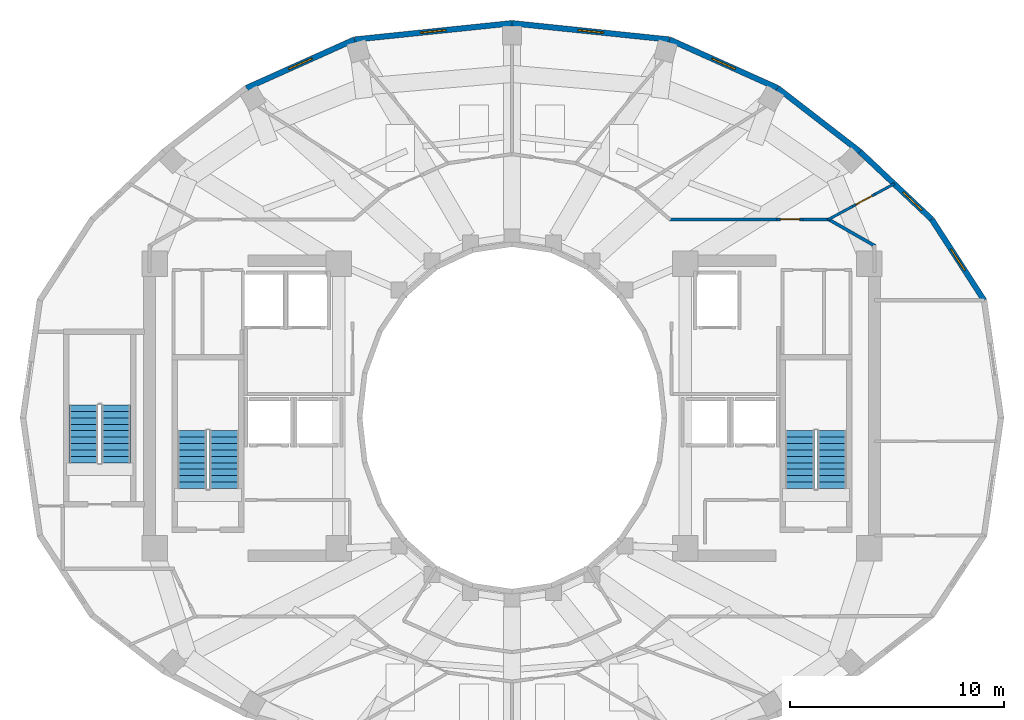
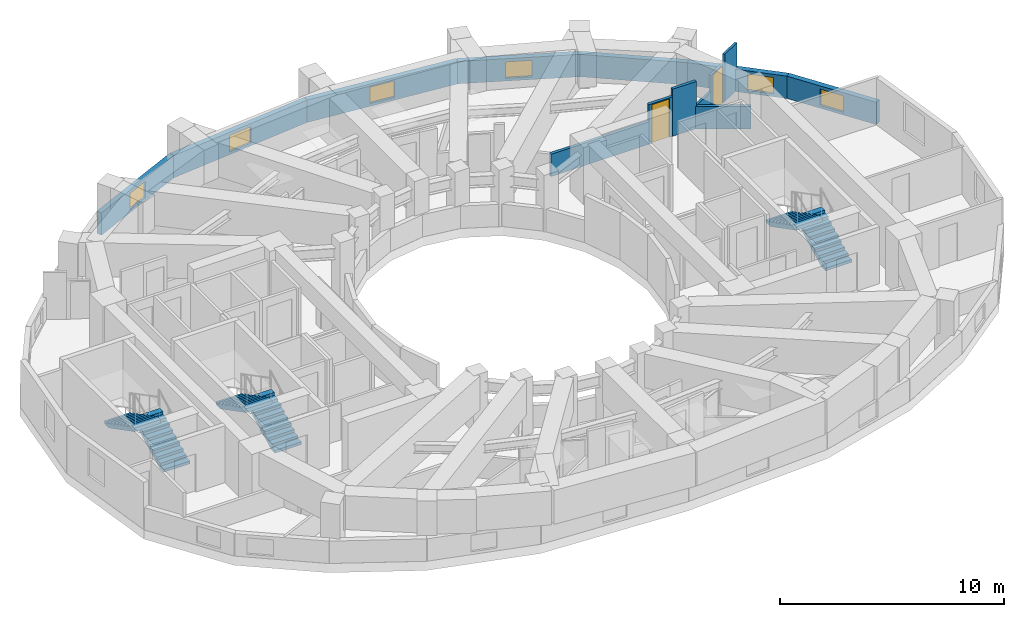
# One storey, part 7 of 9: 14 walls, 6 stair flights, 6 windows, 2 doors, 8 openings, 3 elements without a shape of their own.
"""IFC4 building model written with IfcOpenShell, lengths in metres."""

from ifc_helpers import new_model, si_unit, direction, frame, frame_2d, origin, place, context, subcontext, project, spatial, polyline, rectangle, outline, extrude, material, layer, layer_set, type_object, element, fill, aggregate, save


model = new_model("IFC4")

# Units and contexts
model_context = context("Model", 3, precision=1e-05, world=origin(), true_north=direction((0.0, 1.0)))
body_context = subcontext(model_context, "Body", "Model", "MODEL_VIEW")
ifc_project = project(units=[si_unit("LENGTHUNIT", "METRE"), si_unit("AREAUNIT", "SQUARE_METRE"), si_unit("VOLUMEUNIT", "CUBIC_METRE"), si_unit("PLANEANGLEUNIT", "RADIAN"), si_unit("MASSUNIT", "GRAM", prefix="KILO")], contexts=[model_context])

# Site, building, storey
site_placement = place(None, origin())
site = spatial("IfcSite", under=ifc_project, at=site_placement, CompositionType="ELEMENT")
building_placement = place(site_placement, origin())
building = spatial("IfcBuilding", under=site, at=building_placement, Name="Solvane Sanctuary Tower", CompositionType="ELEMENT")
storey_placement = place(building_placement, frame((0.0, 0.0, 190.10009765625)))
storey = spatial("IfcBuildingStorey", under=building, at=storey_placement, Name="L58", CompositionType="ELEMENT", Elevation=190.10009765625)

# Wall
ifc_material_1 = material(Name="Acoustic Gypsum Partition Board")
ifc_layer_1 = layer(ifc_material_1, 0.14990234375, Name="Acoustic Gypsum Partition Board")
ifc_layer_set_1 = layer_set([ifc_layer_1], Name="Acoustic Gypsum Partition Board")
wall_type_1 = type_object("IfcWallType", Name="Wall W-CORR-150", PredefinedType="PARTITIONING", material=ifc_layer_set_1)
wall_1_placement = place(storey_placement, frame((39.330078125, 32.280029296875, 0.0), z_axis=(0.0, 0.0, 1.0), x_axis=(1.0, 0.0, 0.0)))
element("IfcWall", 1, at=wall_1_placement, inside=storey, type_object=wall_type_1, Name="L58 NE Corner Corridor Wall", PredefinedType="PARTITIONING", context=body_context, shape_type="SweptSolid", body=[
    extrude(rectangle(XDim=5.059814453125, YDim=0.14990234375, at=frame_2d((2.52978515625, 0.0))), origin(), (0.0, 0.0, 1.0), 1.219970703125),
])

# Wall, opening, door
wall_2_placement = place(storey_placement, frame((44.389892578125, 32.280029296875, 0.0), z_axis=(0.0, 0.0, 1.0), x_axis=(1.0, 0.0, 0.0)))
wall_2 = element("IfcWall", 2, at=wall_2_placement, inside=storey, type_object=wall_type_1, Name="L58 NE Corner Corridor Wall", PredefinedType="PARTITIONING", context=body_context, shape_type="SweptSolid", body=[
    extrude(rectangle(XDim=1.22021484375, YDim=0.14990234375, at=frame_2d((0.610107421875, 0.0))), origin(), (0.0, 0.0, 1.0), 2.159912109375),
])
opening_1_placement = place(wall_2_placement, frame((0.159912109375, 0.0, 0.0)))
opening_1 = element("IfcOpeningElement", 3, at=opening_1_placement, cuts=wall_2, Name="Opening D-L58-15", PredefinedType="OPENING", context=body_context, shape_type="SweptSolid", body=[
    extrude(rectangle(XDim=0.89990234375, YDim=2.10009765625, at=frame_2d((0.449951171875, 1.050048828125))), frame((0.0, 0.0849609375, 0.0), z_axis=(0.0, -1.0, 0.0), x_axis=(1.0, 0.0, 0.0)), (0.0, 0.0, 1.0), 0.169921875),
])
ifc_material_2 = material(Name="Engineered Tropical Hardwood", Category="wood")
door_type_1 = type_object("IfcDoorType", Name="Door D-WET-900", OperationType="NOTDEFINED", PredefinedType="DOOR", material=ifc_material_2)
door_1_placement = place(opening_1_placement, origin())
door_1 = element("IfcDoor", 4, at=door_1_placement, inside=storey, type_object=door_type_1, Name="L58 NE Corner Salon Door", OperationType="SINGLE_SWING_RIGHT", OverallHeight=2.10009765625, OverallWidth=0.89990234375, PredefinedType="DOOR", context=body_context, shape_type="SweptSolid", body=[
    extrude(rectangle(XDim=0.89990234375, YDim=2.10009765625, at=frame_2d((0.449951171875, 1.050048828125))), frame((0.0, 0.02490234375, 0.0), z_axis=(0.0, -1.0, 0.0), x_axis=(1.0, 0.0, 0.0)), (0.0, 0.0, 1.0), 0.050048828125),
])
fill(opening_1, door_1)

# Walls
wall_3_placement = place(storey_placement, frame((45.610107421875, 32.280029296875, 0.0), z_axis=(0.0, 0.0, 1.0), x_axis=(1.0, 0.0, 0.0)))
element("IfcWall", 5, at=wall_3_placement, inside=storey, type_object=wall_type_1, Name="L58 NE Corner Corridor Wall", PredefinedType="PARTITIONING", context=body_context, shape_type="SweptSolid", body=[
    extrude(rectangle(XDim=1.239990234375, YDim=0.14990234375, at=frame_2d((0.6201171875, 0.0))), origin(), (0.0, 0.0, 1.0), 2.574951171875),
])
wall_4_placement = place(storey_placement, frame((46.756591796875, 32.3046875, 0.0), z_axis=(0.0, 0.0, 1.0), x_axis=(0.867991349648, -0.496579315857, 0.0)))
element("IfcWall", 6, at=wall_4_placement, inside=storey, type_object=wall_type_1, Name="L58 NE Corner Wing Wall", PredefinedType="PARTITIONING", context=body_context, shape_type="SweptSolid", body=[
    extrude(rectangle(XDim=2.56689453125, YDim=0.14990234375, at=frame_2d((1.283447265625, 0.0))), origin(), (0.0, 0.0, 1.0), 1.219970703125),
])

# Wall, opening, window
ifc_material_3 = material(Name="Precast concrete C40/50", Category="concrete")
ifc_layer_2 = layer(ifc_material_3, 0.260009765625, Name="Precast concrete C40/50")
ifc_layer_set_2 = layer_set([ifc_layer_2], Name="Precast concrete C40/50")
wall_type_2 = type_object("IfcWallType", Name="Wall W-EXT-250", PredefinedType="STANDARD", material=ifc_layer_set_2)
wall_5_placement = place(storey_placement, frame((54.0703125, 28.49658203125, 0.0), z_axis=(0.0, 0.0, 1.0), x_axis=(-0.543358984534, 0.839500454989, 0.0)))
wall_5 = element("IfcWall", 7, at=wall_5_placement, inside=storey, type_object=wall_type_2, Name="L58 Ceramic-Printed Facade Wall 01", PredefinedType="STANDARD", context=body_context, shape_type="SweptSolid", body=[
    extrude(rectangle(XDim=4.51123046875, YDim=0.260009765625, at=frame_2d((2.255615234375, 0.0))), origin(), (0.0, 0.0, 1.0), 1.219970703125),
])
opening_2_placement = place(wall_5_placement, frame((1.655517578125, 0.0, 0.14990234375)))
opening_2 = element("IfcOpeningElement", 8, at=opening_2_placement, cuts=wall_5, Name="Opening WN-OPER-1200", PredefinedType="OPENING", context=body_context, shape_type="SweptSolid", body=[
    extrude(rectangle(XDim=1.199951171875, YDim=0.89990234375, at=frame_2d((0.60009765625, 0.449951171875))), frame((0.0, 0.139892578125, 0.0), z_axis=(0.0, -1.0, 0.0), x_axis=(1.0, 0.0, 0.0)), (0.0, 0.0, 1.0), 0.280029296875),
])
ifc_material_4 = material(Name="Dark Ceramic-Fritted Low-E Glass", Category="glass")
window_type = type_object("IfcWindowType", Name="Window WN-OPER-1200", PartitioningType="SINGLE_PANEL", PredefinedType="WINDOW", material=ifc_material_4)
window_1_placement = place(opening_2_placement, origin())
window_1 = element("IfcWindow", 9, at=window_1_placement, inside=storey, type_object=window_type, Name="L58 Operable Facade Window 01", OverallHeight=0.89990234375, OverallWidth=1.199951171875, PartitioningType="SINGLE_PANEL", PredefinedType="WINDOW", context=body_context, shape_type="SweptSolid", body=[
    extrude(rectangle(XDim=1.199951171875, YDim=0.89990234375, at=frame_2d((0.60009765625, 0.449951171875))), frame((0.0, 0.030029296875, 0.0), z_axis=(0.0, -1.0, 0.0), x_axis=(1.0, 0.0, 0.0)), (0.0, 0.0, 1.0), 0.06005859375),
])
fill(opening_2, window_1)

wall_6_placement = place(storey_placement, frame((51.619140625, 32.28369140625, 0.0), z_axis=(0.0, 0.0, 1.0), x_axis=(-0.727667301037, 0.68593024354, 0.0)))
wall_6 = element("IfcWall", 10, at=wall_6_placement, inside=storey, type_object=wall_type_2, Name="L58 Ceramic-Printed Facade Wall 02", PredefinedType="STANDARD", context=body_context, shape_type="SweptSolid", body=[
    extrude(rectangle(XDim=4.603515625, YDim=0.260009765625, at=frame_2d((2.3017578125, 0.0))), origin(), (0.0, 0.0, 1.0), 1.219970703125),
])
opening_3_placement = place(wall_6_placement, frame((0.631103515625, 0.0, 0.14990234375)))
opening_3 = element("IfcOpeningElement", 11, at=opening_3_placement, cuts=wall_6, Name="Opening WN-OPER-1200", PredefinedType="OPENING", context=body_context, shape_type="SweptSolid", body=[
    extrude(rectangle(XDim=1.199951171875, YDim=0.89990234375, at=frame_2d((0.60009765625, 0.449951171875))), frame((0.0, 0.139892578125, 0.0), z_axis=(0.0, -1.0, 0.0), x_axis=(1.0, 0.0, 0.0)), (0.0, 0.0, 1.0), 0.280029296875),
])
window_2_placement = place(opening_3_placement, origin())
window_2 = element("IfcWindow", 12, at=window_2_placement, inside=storey, type_object=window_type, Name="L58 Operable Facade Window 02", OverallHeight=0.89990234375, OverallWidth=1.199951171875, PartitioningType="SINGLE_PANEL", PredefinedType="WINDOW", context=body_context, shape_type="SweptSolid", body=[
    extrude(rectangle(XDim=1.199951171875, YDim=0.89990234375, at=frame_2d((0.60009765625, 0.449951171875))), frame((0.0, 0.030029296875, 0.0), z_axis=(0.0, -1.0, 0.0), x_axis=(1.0, 0.0, 0.0)), (0.0, 0.0, 1.0), 0.06005859375),
])
fill(opening_3, window_2)

# Wall
wall_7_placement = place(storey_placement, frame((48.269287109375, 35.44140625, 0.0), z_axis=(0.0, 0.0, 1.0), x_axis=(-0.791460185804, 0.611220724687, 0.0)))
element("IfcWall", 13, at=wall_7_placement, inside=storey, type_object=wall_type_2, Name="L58 Ceramic-Printed Facade Wall 03", PredefinedType="STANDARD", context=body_context, shape_type="SweptSolid", body=[
    extrude(rectangle(XDim=4.872314453125, YDim=0.260009765625, at=frame_2d((2.43603515625, 0.0))), origin(), (0.0, 0.0, 1.0), 1.219970703125),
])

# Wall, opening, window
wall_8_placement = place(storey_placement, frame((44.4130859375, 38.41943359375, 0.0), z_axis=(0.0, 0.0, 1.0), x_axis=(-0.912353637112, 0.409403029847, 0.0)))
wall_8 = element("IfcWall", 14, at=wall_8_placement, inside=storey, type_object=wall_type_2, Name="L58 Ceramic-Printed Facade Wall 04", PredefinedType="STANDARD", context=body_context, shape_type="SweptSolid", body=[
    extrude(rectangle(XDim=5.53271484375, YDim=0.260009765625, at=frame_2d((2.766357421875, 0.0))), origin(), (0.0, 0.0, 1.0), 1.219970703125),
])
opening_4_placement = place(wall_8_placement, frame((2.16650390625, 0.0, 0.14990234375)))
opening_4 = element("IfcOpeningElement", 15, at=opening_4_placement, cuts=wall_8, Name="Opening WN-OPER-1200", PredefinedType="OPENING", context=body_context, shape_type="SweptSolid", body=[
    extrude(rectangle(XDim=1.199951171875, YDim=0.89990234375, at=frame_2d((0.60009765625, 0.449951171875))), frame((0.0, 0.139892578125, 0.0), z_axis=(0.0, -1.0, 0.0), x_axis=(1.0, 0.0, 0.0)), (0.0, 0.0, 1.0), 0.280029296875),
])
window_3_placement = place(opening_4_placement, origin())
window_3 = element("IfcWindow", 16, at=window_3_placement, inside=storey, type_object=window_type, Name="L58 Operable Facade Window 04", OverallHeight=0.89990234375, OverallWidth=1.199951171875, PartitioningType="SINGLE_PANEL", PredefinedType="WINDOW", context=body_context, shape_type="SweptSolid", body=[
    extrude(rectangle(XDim=1.199951171875, YDim=0.89990234375, at=frame_2d((0.60009765625, 0.449951171875))), frame((0.0, 0.030029296875, 0.0), z_axis=(0.0, -1.0, 0.0), x_axis=(1.0, 0.0, 0.0)), (0.0, 0.0, 1.0), 0.06005859375),
])
fill(opening_4, window_3)

wall_9_placement = place(storey_placement, frame((39.365234375, 40.6845703125, 0.0), z_axis=(0.0, 0.0, 1.0), x_axis=(-0.994664178965, 0.10316574569, 0.0)))
wall_9 = element("IfcWall", 17, at=wall_9_placement, inside=storey, type_object=wall_type_2, Name="L58 Ceramic-Printed Facade Wall 05", PredefinedType="STANDARD", context=body_context, shape_type="SweptSolid", body=[
    extrude(rectangle(XDim=7.40478515625, YDim=0.260009765625, at=frame_2d((3.702392578125, 0.0))), origin(), (0.0, 0.0, 1.0), 1.219970703125),
])
opening_5_placement = place(wall_9_placement, frame((3.102294921875, 0.0, 0.14990234375)))
opening_5 = element("IfcOpeningElement", 18, at=opening_5_placement, cuts=wall_9, Name="Opening WN-OPER-1200", PredefinedType="OPENING", context=body_context, shape_type="SweptSolid", body=[
    extrude(rectangle(XDim=1.199951171875, YDim=0.89990234375, at=frame_2d((0.60009765625, 0.449951171875))), frame((0.0, 0.139892578125, 0.0), z_axis=(0.0, -1.0, 0.0), x_axis=(1.0, 0.0, 0.0)), (0.0, 0.0, 1.0), 0.280029296875),
])
window_4_placement = place(opening_5_placement, origin())
window_4 = element("IfcWindow", 19, at=window_4_placement, inside=storey, type_object=window_type, Name="L58 Operable Facade Window 05", OverallHeight=0.89990234375, OverallWidth=1.199951171875, PartitioningType="SINGLE_PANEL", PredefinedType="WINDOW", context=body_context, shape_type="SweptSolid", body=[
    extrude(rectangle(XDim=1.199951171875, YDim=0.89990234375, at=frame_2d((0.60009765625, 0.449951171875))), frame((0.0, 0.030029296875, 0.0), z_axis=(0.0, -1.0, 0.0), x_axis=(1.0, 0.0, 0.0)), (0.0, 0.0, 1.0), 0.06005859375),
])
fill(opening_5, window_4)

wall_10_placement = place(storey_placement, frame((32.0, 41.448486328125, 0.0), z_axis=(0.0, 0.0, 1.0), x_axis=(-0.994664178965, -0.10316574569, 0.0)))
wall_10 = element("IfcWall", 20, at=wall_10_placement, inside=storey, type_object=wall_type_2, Name="L58 Ceramic-Printed Facade Wall 06", PredefinedType="STANDARD", context=body_context, shape_type="SweptSolid", body=[
    extrude(rectangle(XDim=7.40478515625, YDim=0.260009765625, at=frame_2d((3.702392578125, 0.0))), origin(), (0.0, 0.0, 1.0), 1.219970703125),
])
opening_6_placement = place(wall_10_placement, frame((3.102294921875, 0.0, 0.14990234375)))
opening_6 = element("IfcOpeningElement", 21, at=opening_6_placement, cuts=wall_10, Name="Opening WN-OPER-1200", PredefinedType="OPENING", context=body_context, shape_type="SweptSolid", body=[
    extrude(rectangle(XDim=1.199951171875, YDim=0.89990234375, at=frame_2d((0.60009765625, 0.449951171875))), frame((0.0, 0.139892578125, 0.0), z_axis=(0.0, -1.0, 0.0), x_axis=(1.0, 0.0, 0.0)), (0.0, 0.0, 1.0), 0.280029296875),
])
window_5_placement = place(opening_6_placement, origin())
window_5 = element("IfcWindow", 22, at=window_5_placement, inside=storey, type_object=window_type, Name="L58 Operable Facade Window 06", OverallHeight=0.89990234375, OverallWidth=1.199951171875, PartitioningType="SINGLE_PANEL", PredefinedType="WINDOW", context=body_context, shape_type="SweptSolid", body=[
    extrude(rectangle(XDim=1.199951171875, YDim=0.89990234375, at=frame_2d((0.60009765625, 0.449951171875))), frame((0.0, 0.030029296875, 0.0), z_axis=(0.0, -1.0, 0.0), x_axis=(1.0, 0.0, 0.0)), (0.0, 0.0, 1.0), 0.06005859375),
])
fill(opening_6, window_5)

wall_11_placement = place(storey_placement, frame((24.634765625, 40.6845703125, 0.0), z_axis=(0.0, 0.0, 1.0), x_axis=(-0.912353637112, -0.409403029847, 0.0)))
wall_11 = element("IfcWall", 23, at=wall_11_placement, inside=storey, type_object=wall_type_2, Name="L58 Ceramic-Printed Facade Wall 07", PredefinedType="STANDARD", context=body_context, shape_type="SweptSolid", body=[
    extrude(rectangle(XDim=5.53271484375, YDim=0.260009765625, at=frame_2d((2.766357421875, 0.0))), origin(), (0.0, 0.0, 1.0), 1.219970703125),
])
opening_7_placement = place(wall_11_placement, frame((2.16650390625, 0.0, 0.14990234375)))
opening_7 = element("IfcOpeningElement", 24, at=opening_7_placement, cuts=wall_11, Name="Opening WN-OPER-1200", PredefinedType="OPENING", context=body_context, shape_type="SweptSolid", body=[
    extrude(rectangle(XDim=1.199951171875, YDim=0.89990234375, at=frame_2d((0.60009765625, 0.449951171875))), frame((0.0, 0.139892578125, 0.0), z_axis=(0.0, -1.0, 0.0), x_axis=(1.0, 0.0, 0.0)), (0.0, 0.0, 1.0), 0.280029296875),
])
window_6_placement = place(opening_7_placement, origin())
window_6 = element("IfcWindow", 25, at=window_6_placement, inside=storey, type_object=window_type, Name="L58 Operable Facade Window 07", OverallHeight=0.89990234375, OverallWidth=1.199951171875, PartitioningType="SINGLE_PANEL", PredefinedType="WINDOW", context=body_context, shape_type="SweptSolid", body=[
    extrude(rectangle(XDim=1.199951171875, YDim=0.89990234375, at=frame_2d((0.60009765625, 0.449951171875))), frame((0.0, 0.030029296875, 0.0), z_axis=(0.0, -1.0, 0.0), x_axis=(1.0, 0.0, 0.0)), (0.0, 0.0, 1.0), 0.06005859375),
])
fill(opening_7, window_6)

# Wall
ifc_layer_3 = layer(ifc_material_1, 0.1201171875, Name="Acoustic Gypsum Partition Board")
ifc_layer_set_3 = layer_set([ifc_layer_3], Name="Acoustic Gypsum Partition Board")
wall_type_3 = type_object("IfcWallType", Name="Wall W-MOV-100", PredefinedType="MOVABLE", material=ifc_layer_set_3)
wall_12_placement = place(storey_placement, frame((46.756103515625, 32.256103515625, 0.0), z_axis=(0.0, 0.0, 1.0), x_axis=(0.879396983738, 0.476089219572, 0.0)))
element("IfcWall", 26, at=wall_12_placement, inside=storey, type_object=wall_type_3, Name="L58 NE Corner Suite Partition", PredefinedType="MOVABLE", context=body_context, shape_type="SweptSolid", body=[
    extrude(rectangle(XDim=1.33837890625, YDim=0.1201171875, at=frame_2d((0.669189453125, 0.0))), origin(), (0.0, 0.0, 1.0), 1.219970703125),
])

# Wall, opening, door
wall_13_placement = place(storey_placement, frame((47.93310546875, 32.893310546875, 0.0), z_axis=(0.0, 0.0, 1.0), x_axis=(0.879342939039, 0.476189033433, 0.0)))
wall_13 = element("IfcWall", 27, at=wall_13_placement, inside=storey, type_object=wall_type_3, Name="L58 NE Corner Suite Partition", PredefinedType="MOVABLE", context=body_context, shape_type="SweptSolid", body=[
    extrude(rectangle(XDim=1.169921875, YDim=0.1201171875, at=frame_2d((0.5849609375, 0.0))), origin(), (0.0, 0.0, 1.0), 2.10986328125),
])
opening_8_placement = place(wall_13_placement, frame((0.159912109375, 0.0, 0.0)))
opening_8 = element("IfcOpeningElement", 28, at=opening_8_placement, cuts=wall_13, Name="Opening D-L58-14", PredefinedType="OPENING", context=body_context, shape_type="SweptSolid", body=[
    extrude(rectangle(XDim=0.85009765625, YDim=2.050048828125, at=frame_2d((0.425048828125, 1.02490234375))), frame((0.0, 0.070068359375, 0.0), z_axis=(0.0, -1.0, 0.0), x_axis=(1.0, 0.0, 0.0)), (0.0, 0.0, 1.0), 0.14013671875),
])
ifc_material_5 = material(Name="Architectural Stainless Steel 316", Category="steel")
door_type_2 = type_object("IfcDoorType", Name="Door D-RISER", OperationType="NOTDEFINED", PredefinedType="DOOR", material=ifc_material_5)
door_2_placement = place(opening_8_placement, origin())
door_2 = element("IfcDoor", 29, at=door_2_placement, inside=storey, type_object=door_type_2, Name="L58 NE Corner Suite Door", OperationType="SINGLE_SWING_LEFT", OverallHeight=2.050048828125, OverallWidth=0.85009765625, PredefinedType="DOOR", context=body_context, shape_type="SweptSolid", body=[
    extrude(rectangle(XDim=0.85009765625, YDim=2.050048828125, at=frame_2d((0.425048828125, 1.02490234375))), frame((0.0, 0.02490234375, 0.0), z_axis=(0.0, -1.0, 0.0), x_axis=(1.0, 0.0, 0.0)), (0.0, 0.0, 1.0), 0.050048828125),
])
fill(opening_8, door_2)

# Wall
wall_14_placement = place(storey_placement, frame((48.9619140625, 33.450439453125, 0.0), z_axis=(0.0, 0.0, 1.0), x_axis=(0.879417553007, 0.476051223571, 0.0)))
element("IfcWall", 30, at=wall_14_placement, inside=storey, type_object=wall_type_3, Name="L58 NE Corner Suite Partition", PredefinedType="MOVABLE", context=body_context, shape_type="SweptSolid", body=[
    extrude(rectangle(XDim=1.05126953125, YDim=0.1201171875, at=frame_2d((0.525634765625, 0.0))), origin(), (0.0, 0.0, 1.0), 2.574951171875),
])

# Stair, stair flights
ifc_material_6 = material(Name="Concrete C45/55", Category="concrete")
stair_type = type_object("IfcStairType", Name="Stair ST-TOW", PredefinedType="HALF_TURN_STAIR", material=ifc_material_6)
stair_1_placement = place(storey_placement, origin())
stair_1 = element("IfcStair", 31, at=stair_1_placement, inside=storey, type_object=stair_type, Name="L58 Exit Stair ST-1 West Core", PredefinedType="HALF_TURN_STAIR")
stair_flight_type = type_object("IfcStairFlightType", Name="StairFlight SF-TOW", PredefinedType="STRAIGHT", material=ifc_material_6)
stair_flight_1_placement = place(storey_placement, frame((18.544921875, 19.699951171875, 0.0), z_axis=(0.0, 0.0, 1.0), x_axis=(0.0, 1.0, 0.0)))
stair_flight_1 = element("IfcStairFlight", 32, at=stair_flight_1_placement, type_object=stair_flight_type, Name="ST-1 flight 1", NumberOfRisers=10, NumberOfTreads=9, PredefinedType="STRAIGHT", RiserHeight=0.155, TreadLength=0.3, context=body_context, shape_type="SweptSolid", body=[
    extrude(outline(polyline([(0.0, 0.0), (0.0, 0.155029296875), (0.300048828125, 0.155029296875), (0.300048828125, 0.31005859375), (0.60009765625, 0.31005859375), (0.60009765625, 0.465087890625), (0.89990234375, 0.465087890625), (0.89990234375, 0.6201171875), (1.199951171875, 0.6201171875), (1.199951171875, 0.77490234375), (1.5, 0.77490234375), (1.5, 0.929931640625), (1.800048828125, 0.929931640625), (1.800048828125, 1.0849609375), (2.10009765625, 1.0849609375), (2.10009765625, 1.239990234375), (2.39990234375, 1.239990234375), (2.39990234375, 1.39501953125), (2.699951171875, 1.39501953125), (2.699951171875, 1.550048828125), (2.699951171875, 1.1923828125), (0.39208984375, 0.0), (0.0, 0.0)])), frame((0.0, 0.675048828125, 0.0), z_axis=(0.0, -1.0, 0.0), x_axis=(1.0, 0.0, 0.0)), (0.0, 0.0, 1.0), 1.35009765625),
])
stair_flight_2_placement = place(storey_placement, frame((17.034912109375, 22.39990234375, 1.5498046875), z_axis=(0.0, 0.0, 1.0), x_axis=(0.0, -1.0, 0.0)))
stair_flight_2 = element("IfcStairFlight", 33, at=stair_flight_2_placement, type_object=stair_flight_type, Name="ST-1 flight 2", NumberOfRisers=10, NumberOfTreads=9, PredefinedType="STRAIGHT", RiserHeight=0.155, TreadLength=0.3, context=body_context, shape_type="SweptSolid", body=[
    extrude(outline(polyline([(0.0, 0.0), (0.0, 0.155029296875), (0.300048828125, 0.155029296875), (0.300048828125, 0.31005859375), (0.60009765625, 0.31005859375), (0.60009765625, 0.465087890625), (0.89990234375, 0.465087890625), (0.89990234375, 0.6201171875), (1.199951171875, 0.6201171875), (1.199951171875, 0.77490234375), (1.5, 0.77490234375), (1.5, 0.929931640625), (1.800048828125, 0.929931640625), (1.800048828125, 1.0849609375), (2.10009765625, 1.0849609375), (2.10009765625, 1.239990234375), (2.39990234375, 1.239990234375), (2.39990234375, 1.39501953125), (2.699951171875, 1.39501953125), (2.699951171875, 1.550048828125), (2.699951171875, 1.1923828125), (0.39208984375, 0.0), (0.0, 0.0)])), frame((0.0, 0.675048828125, 0.0), z_axis=(0.0, -1.0, 0.0), x_axis=(1.0, 0.0, 0.0)), (0.0, 0.0, 1.0), 1.35009765625),
])
aggregate(stair_1, [stair_flight_1, stair_flight_2])

stair_2_placement = place(storey_placement, origin())
stair_2 = element("IfcStair", 34, at=stair_2_placement, inside=storey, type_object=stair_type, Name="L58 Exit Stair ST-2 East Core", PredefinedType="HALF_TURN_STAIR")
stair_flight_3_placement = place(storey_placement, frame((46.965087890625, 19.699951171875, 0.0), z_axis=(0.0, 0.0, 1.0), x_axis=(0.0, 1.0, 0.0)))
stair_flight_3 = element("IfcStairFlight", 35, at=stair_flight_3_placement, type_object=stair_flight_type, Name="ST-2 flight 1", NumberOfRisers=10, NumberOfTreads=9, PredefinedType="STRAIGHT", RiserHeight=0.155, TreadLength=0.3, context=body_context, shape_type="SweptSolid", body=[
    extrude(outline(polyline([(0.0, 0.0), (0.0, 0.155029296875), (0.300048828125, 0.155029296875), (0.300048828125, 0.31005859375), (0.60009765625, 0.31005859375), (0.60009765625, 0.465087890625), (0.89990234375, 0.465087890625), (0.89990234375, 0.6201171875), (1.199951171875, 0.6201171875), (1.199951171875, 0.77490234375), (1.5, 0.77490234375), (1.5, 0.929931640625), (1.800048828125, 0.929931640625), (1.800048828125, 1.0849609375), (2.10009765625, 1.0849609375), (2.10009765625, 1.239990234375), (2.39990234375, 1.239990234375), (2.39990234375, 1.39501953125), (2.699951171875, 1.39501953125), (2.699951171875, 1.550048828125), (2.699951171875, 1.1923828125), (0.39208984375, 0.0), (0.0, 0.0)])), frame((0.0, 0.675048828125, 0.0), z_axis=(0.0, -1.0, 0.0), x_axis=(1.0, 0.0, 0.0)), (0.0, 0.0, 1.0), 1.35009765625),
])
stair_flight_4_placement = place(storey_placement, frame((45.455078125, 22.39990234375, 1.5498046875), z_axis=(0.0, 0.0, 1.0), x_axis=(0.0, -1.0, 0.0)))
stair_flight_4 = element("IfcStairFlight", 36, at=stair_flight_4_placement, type_object=stair_flight_type, Name="ST-2 flight 2", NumberOfRisers=10, NumberOfTreads=9, PredefinedType="STRAIGHT", RiserHeight=0.155, TreadLength=0.3, context=body_context, shape_type="SweptSolid", body=[
    extrude(outline(polyline([(0.0, 0.0), (0.0, 0.155029296875), (0.300048828125, 0.155029296875), (0.300048828125, 0.31005859375), (0.60009765625, 0.31005859375), (0.60009765625, 0.465087890625), (0.89990234375, 0.465087890625), (0.89990234375, 0.6201171875), (1.199951171875, 0.6201171875), (1.199951171875, 0.77490234375), (1.5, 0.77490234375), (1.5, 0.929931640625), (1.800048828125, 0.929931640625), (1.800048828125, 1.0849609375), (2.10009765625, 1.0849609375), (2.10009765625, 1.239990234375), (2.39990234375, 1.239990234375), (2.39990234375, 1.39501953125), (2.699951171875, 1.39501953125), (2.699951171875, 1.550048828125), (2.699951171875, 1.1923828125), (0.39208984375, 0.0), (0.0, 0.0)])), frame((0.0, 0.675048828125, 0.0), z_axis=(0.0, -1.0, 0.0), x_axis=(1.0, 0.0, 0.0)), (0.0, 0.0, 1.0), 1.35009765625),
])
aggregate(stair_2, [stair_flight_3, stair_flight_4])

stair_3_placement = place(storey_placement, origin())
stair_3 = element("IfcStair", 37, at=stair_3_placement, inside=storey, type_object=stair_type, Name="L58 Exit Stair ST-3 Pilgrim Tower Stair", PredefinedType="HALF_TURN_STAIR")
stair_flight_5_placement = place(storey_placement, frame((13.485107421875, 20.89990234375, 0.0), z_axis=(0.0, 0.0, 1.0), x_axis=(0.0, 1.0, 0.0)))
stair_flight_5 = element("IfcStairFlight", 38, at=stair_flight_5_placement, type_object=stair_flight_type, Name="ST-3 flight 1", NumberOfRisers=10, NumberOfTreads=9, PredefinedType="STRAIGHT", RiserHeight=0.155, TreadLength=0.3, context=body_context, shape_type="SweptSolid", body=[
    extrude(outline(polyline([(0.0, 0.0), (0.0, 0.155029296875), (0.300048828125, 0.155029296875), (0.300048828125, 0.31005859375), (0.60009765625, 0.31005859375), (0.60009765625, 0.465087890625), (0.89990234375, 0.465087890625), (0.89990234375, 0.6201171875), (1.199951171875, 0.6201171875), (1.199951171875, 0.77490234375), (1.5, 0.77490234375), (1.5, 0.929931640625), (1.800048828125, 0.929931640625), (1.800048828125, 1.0849609375), (2.10009765625, 1.0849609375), (2.10009765625, 1.239990234375), (2.39990234375, 1.239990234375), (2.39990234375, 1.39501953125), (2.699951171875, 1.39501953125), (2.699951171875, 1.550048828125), (2.699951171875, 1.1923828125), (0.39208984375, 0.0), (0.0, 0.0)])), frame((0.0, 0.675048828125, 0.0), z_axis=(0.0, -1.0, 0.0), x_axis=(1.0, 0.0, 0.0)), (0.0, 0.0, 1.0), 1.35009765625),
])
stair_flight_6_placement = place(storey_placement, frame((11.97509765625, 23.60009765625, 1.5498046875), z_axis=(0.0, 0.0, 1.0), x_axis=(0.0, -1.0, 0.0)))
stair_flight_6 = element("IfcStairFlight", 39, at=stair_flight_6_placement, type_object=stair_flight_type, Name="ST-3 flight 2", NumberOfRisers=10, NumberOfTreads=9, PredefinedType="STRAIGHT", RiserHeight=0.155, TreadLength=0.3, context=body_context, shape_type="SweptSolid", body=[
    extrude(outline(polyline([(0.0, 0.0), (0.0, 0.155029296875), (0.300048828125, 0.155029296875), (0.300048828125, 0.31005859375), (0.60009765625, 0.31005859375), (0.60009765625, 0.465087890625), (0.89990234375, 0.465087890625), (0.89990234375, 0.6201171875), (1.199951171875, 0.6201171875), (1.199951171875, 0.77490234375), (1.5, 0.77490234375), (1.5, 0.929931640625), (1.800048828125, 0.929931640625), (1.800048828125, 1.0849609375), (2.10009765625, 1.0849609375), (2.10009765625, 1.239990234375), (2.39990234375, 1.239990234375), (2.39990234375, 1.39501953125), (2.699951171875, 1.39501953125), (2.699951171875, 1.550048828125), (2.699951171875, 1.1923828125), (0.39208984375, 0.0), (0.0, 0.0)])), frame((0.0, 0.675048828125, 0.0), z_axis=(0.0, -1.0, 0.0), x_axis=(1.0, 0.0, 0.0)), (0.0, 0.0, 1.0), 1.35009765625),
])
aggregate(stair_3, [stair_flight_5, stair_flight_6])

save(model, "model.ifc")
